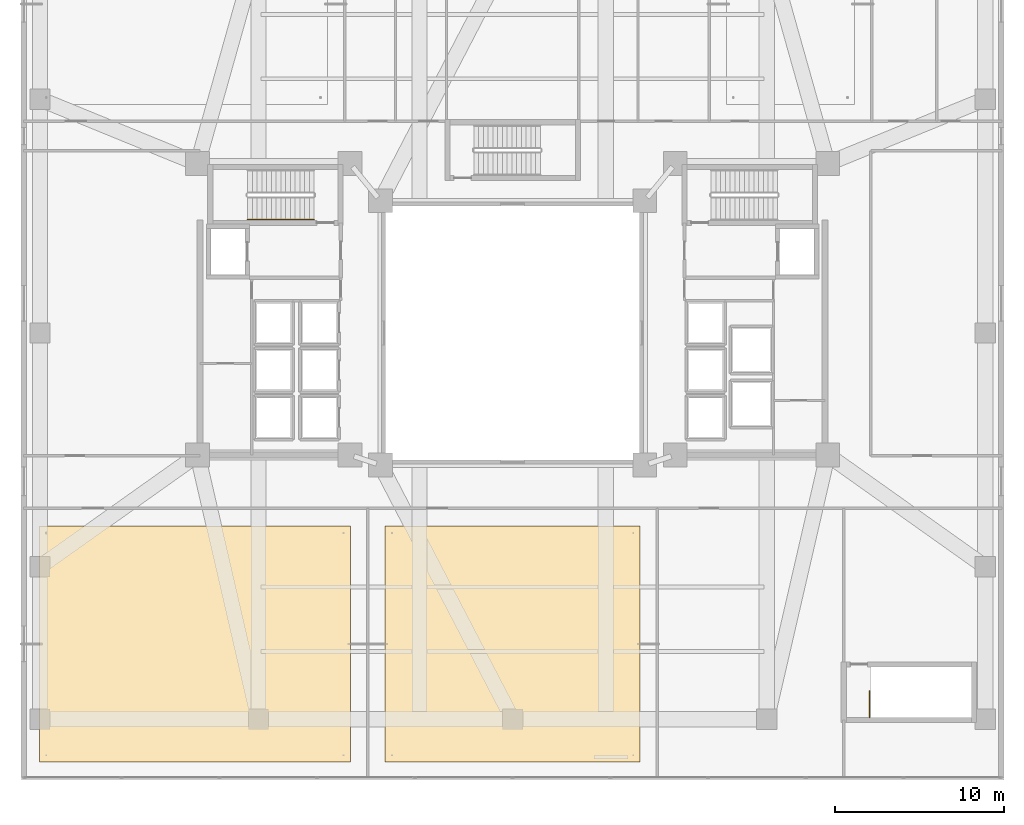
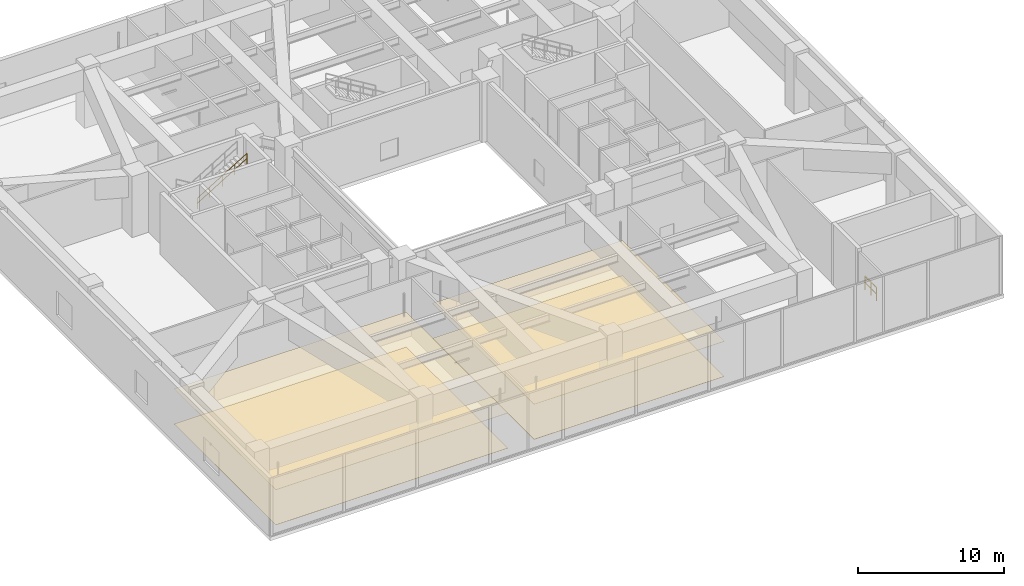
# One storey, part 18 of 21: 4 coverings, 2 railings.
"""IFC4 building model written with IfcOpenShell, lengths in metres."""

from ifc_helpers import new_model, si_unit, direction, frame, origin, origin_2d, place, context, subcontext, project, spatial, polyline, circle, outline, extrude, material, layer, layer_set, type_object, element, save


model = new_model("IFC4")

# Units and contexts
model_context = context("Model", 3, precision=1e-05, world=origin(), true_north=direction((0.0, 1.0)))
body_context = subcontext(model_context, "Body", "Model", "MODEL_VIEW")
ifc_project = project(units=[si_unit("LENGTHUNIT", "METRE"), si_unit("AREAUNIT", "SQUARE_METRE"), si_unit("VOLUMEUNIT", "CUBIC_METRE"), si_unit("PLANEANGLEUNIT", "RADIAN"), si_unit("MASSUNIT", "GRAM", prefix="KILO")], contexts=[model_context])

# Site, building, storey
site_placement = place(None, origin())
site = spatial("IfcSite", under=ifc_project, at=site_placement, CompositionType="ELEMENT")
building_placement = place(site_placement, origin())
building = spatial("IfcBuilding", under=site, at=building_placement, Name="Tarnavaz Court Tower", CompositionType="ELEMENT")
storey_placement = place(building_placement, frame((0.0, 0.0, 18.89990234375)))
storey = spatial("IfcBuildingStorey", under=building, at=storey_placement, Name="L04", CompositionType="ELEMENT", Elevation=18.89990234375)

# Coverings
ifc_material_1 = material(Name="Perforated Gypsum Acoustic Ceiling Tile", Category="masonry")
ifc_layer_1 = layer(ifc_material_1, 0.02490234375)
ifc_layer_set_1 = layer_set([ifc_layer_1], Name="Perforated Gypsum Acoustic Ceiling Tile")
covering_type_1 = type_object("IfcCoveringType", Name="CV-CEIL-AC", PredefinedType="CEILING", material=ifc_layer_set_1)
covering_1_placement = place(storey_placement, frame((0.0, 0.0, 2.93017578125)))
element("IfcCovering", 1, at=covering_1_placement, inside=storey, type_object=covering_type_1, Name="L04 L04 West Terrace Waiting Lounge Suspended Acoustic Ceiling", PredefinedType="CEILING", context=body_context, shape_type="SweptSolid", body=[
    extrude(outline(polyline([(-27.929931640625, -25.330078125), (-9.580078125, -25.330078125), (-9.580078125, -11.39990234375), (-27.929931640625, -11.39990234375), (-27.929931640625, -25.330078125)])), origin(), (0.0, 0.0, 1.0), 0.02490234375),
])
covering_2_placement = place(storey_placement, frame((0.0, 0.0, 2.93017578125)))
element("IfcCovering", 2, at=covering_2_placement, inside=storey, type_object=covering_type_1, Name="L04 North Garden Terrace Lounge Suspended Acoustic Ceiling", PredefinedType="CEILING", context=body_context, shape_type="SweptSolid", body=[
    extrude(outline(polyline([(-7.52001953125, -25.330078125), (7.52001953125, -25.330078125), (7.52001953125, -11.39990234375), (-7.52001953125, -11.39990234375), (-7.52001953125, -25.330078125)])), origin(), (0.0, 0.0, 1.0), 0.02490234375),
])
ifc_material_2 = material(Name="Glazed Khorasan Porcelain Floor Tile", Category="masonry")
ifc_layer_2 = layer(ifc_material_2, 0.02001953125)
ifc_layer_set_2 = layer_set([ifc_layer_2], Name="Glazed Khorasan Porcelain Floor Tile")
covering_type_2 = type_object("IfcCoveringType", Name="CV-FLR-PORC", PredefinedType="FLOORING", material=ifc_layer_set_2)
covering_3_placement = place(storey_placement, origin())
element("IfcCovering", 3, at=covering_3_placement, inside=storey, type_object=covering_type_2, Name="L04 L04 West Terrace Waiting Lounge Porcelain Floor Finish", PredefinedType="FLOORING", context=body_context, shape_type="SweptSolid", body=[
    extrude(outline(polyline([(-27.929931640625, -25.330078125), (-9.580078125, -25.330078125), (-9.580078125, -11.39990234375), (-27.929931640625, -11.39990234375), (-27.929931640625, -25.330078125)])), origin(), (0.0, 0.0, 1.0), 0.02001953125),
])
covering_4_placement = place(storey_placement, origin())
element("IfcCovering", 4, at=covering_4_placement, inside=storey, type_object=covering_type_2, Name="L04 North Garden Terrace Lounge Porcelain Floor Finish", PredefinedType="FLOORING", context=body_context, shape_type="SweptSolid", body=[
    extrude(outline(polyline([(-7.52001953125, -25.330078125), (7.52001953125, -25.330078125), (7.52001953125, -11.39990234375), (-7.52001953125, -11.39990234375), (-7.52001953125, -25.330078125)])), origin(), (0.0, 0.0, 1.0), 0.02001953125),
])

# Railings
ifc_material_3 = material(Name="Brushed Stainless Steel", Category="steel")
railing_type_1 = type_object("IfcRailingType", Name="RL-HANDRAIL-900", PredefinedType="HANDRAIL", material=ifc_material_3)
railing_1_placement = place(storey_placement, frame((-15.639892578125, 6.699951171875, 2.72021484375)))
element("IfcRailing", 5, at=railing_1_placement, inside=storey, type_object=railing_type_1, Name="L04 ST-W1 stair handrail 2", PredefinedType="HANDRAIL", context=body_context, shape_type="SweptSolid", body=[
    extrude(circle(Radius=0.02392578125, at=origin_2d()), frame((0.0, 0.0, 0.8759765625), z_axis=(0.854794262968, 0.0, 0.518967020143), x_axis=(0.0, 1.0, 0.0)), (0.0, 0.0, 1.0), 4.585693359375),
    extrude(circle(Radius=0.02392578125, at=origin_2d()), frame((0.0, 0.0, 0.449951171875), z_axis=(0.854794262968, 0.0, 0.518967020143), x_axis=(0.0, 1.0, 0.0)), (0.0, 0.0, 1.0), 4.585693359375),
    extrude(circle(Radius=0.02099609375, at=origin_2d()), origin(), (0.0, 0.0, 1.0), 0.851806640625),
    extrude(circle(Radius=0.02099609375, at=origin_2d()), frame((0.97998046875, 0.0, 0.594970703125)), (0.0, 0.0, 1.0), 0.851806640625),
    extrude(circle(Radius=0.02099609375, at=origin_2d()), frame((1.9599609375, 0.0, 1.18994140625)), (0.0, 0.0, 1.0), 0.851806640625),
    extrude(circle(Radius=0.02099609375, at=origin_2d()), frame((2.93994140625, 0.0, 1.784912109375)), (0.0, 0.0, 1.0), 0.851806640625),
    extrude(circle(Radius=0.02099609375, at=origin_2d()), frame((3.919921875, 0.0, 2.3798828125)), (0.0, 0.0, 1.0), 0.851806640625),
])
ifc_material_4 = material(Name="Galvanized Painted Tubular Steel", Category="steel")
railing_type_2 = type_object("IfcRailingType", Name="RL-STGUARD-1120", PredefinedType="GUARDRAIL", material=ifc_material_4)
railing_2_placement = place(storey_placement, frame((21.070068359375, -22.699951171875, 0.0)))
element("IfcRailing", 6, at=railing_2_placement, inside=storey, type_object=railing_type_2, Name="L04 ST-P1 top well guard 1", PredefinedType="GUARDRAIL", context=body_context, shape_type="SweptSolid", body=[
    extrude(circle(Radius=0.02392578125, at=origin_2d()), frame((0.0, 0.0, 1.09619140625), z_axis=(0.0, 1.0, 0.0), x_axis=(-1.0, 0.0, 0.0)), (0.0, 0.0, 1.0), 1.570068359375),
    extrude(circle(Radius=0.02392578125, at=origin_2d()), frame((0.0, 0.0, 0.56005859375), z_axis=(0.0, 1.0, 0.0), x_axis=(-1.0, 0.0, 0.0)), (0.0, 0.0, 1.0), 1.570068359375),
    extrude(circle(Radius=0.02099609375, at=origin_2d()), origin(), (0.0, 0.0, 1.0), 1.072021484375),
    extrude(circle(Radius=0.02099609375, at=origin_2d()), frame((0.0, 0.78515625, 0.0)), (0.0, 0.0, 1.0), 1.072021484375),
    extrude(circle(Radius=0.02099609375, at=origin_2d()), frame((0.0, 1.570068359375, 0.0)), (0.0, 0.0, 1.0), 1.072021484375),
])

save(model, "model.ifc")
